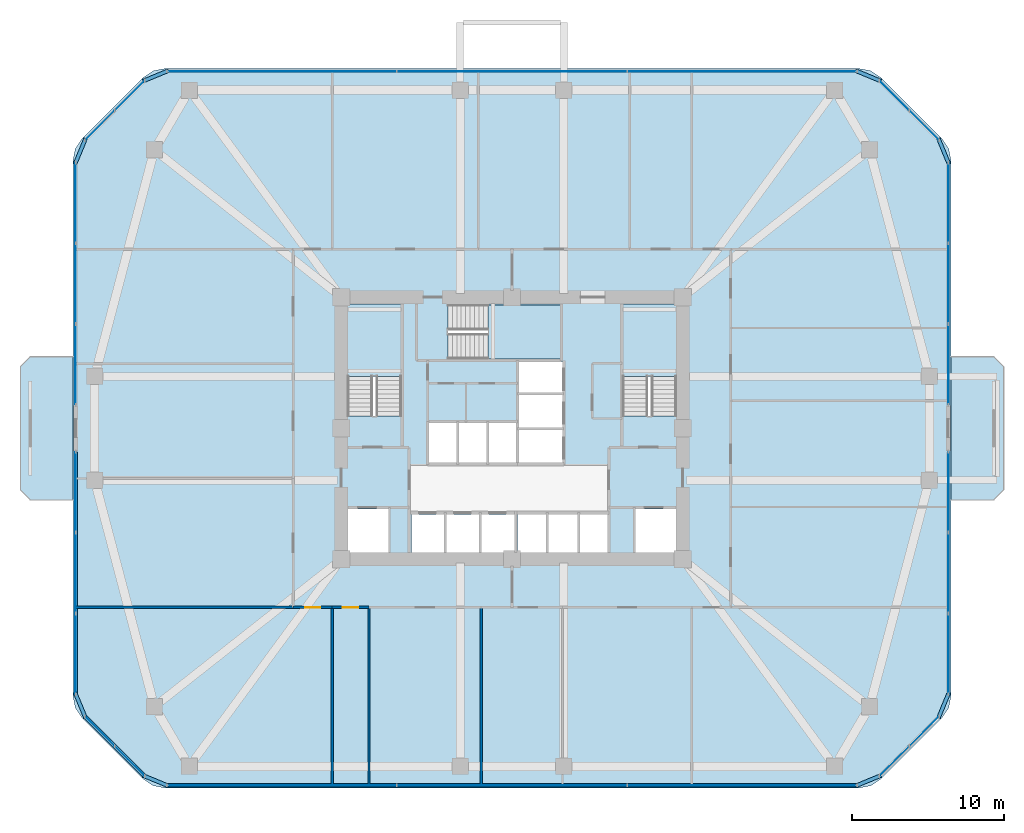
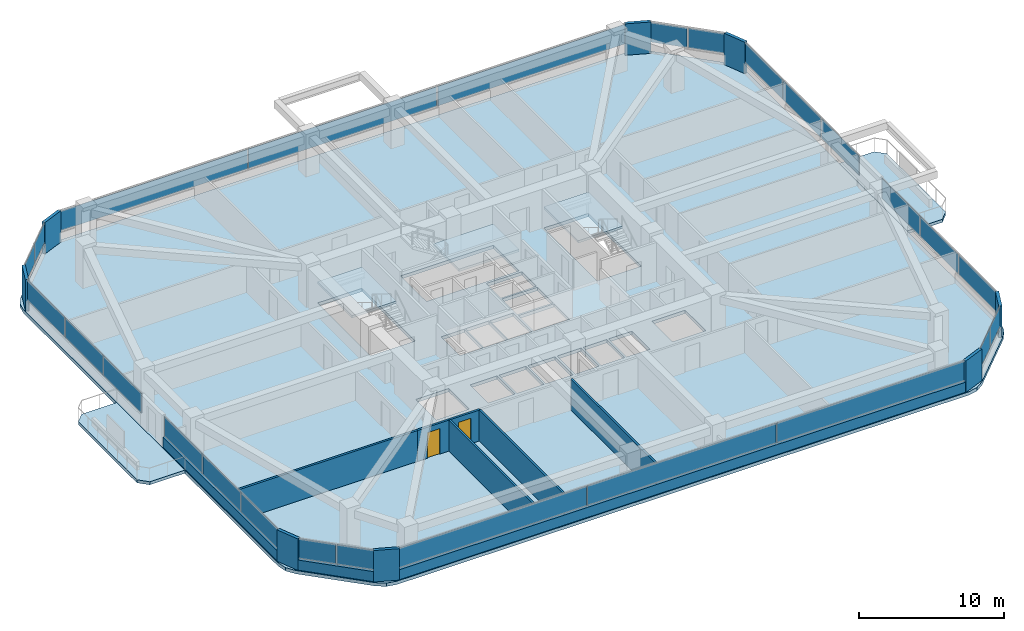
# One storey, part 9 of 15: 34 plates, 9 walls, 6 slabs, 2 doors, 2 openings, 13 elements without a shape of their own.
"""IFC4 building model written with IfcOpenShell, lengths in metres."""

from ifc_helpers import new_model, si_unit, derived_unit, direction, frame, frame_2d, origin, origin_2d, place, context, subcontext, project, spatial, polyline, rectangle, outline, extrude, material, layer, layer_set, type_object, element, fill, aggregate, save


model = new_model("IFC4")

# Units and contexts
model_context = context("Model", 3, precision=1e-05, world=origin(), true_north=direction((0.0, 1.0)))
body_context = subcontext(model_context, "Body", "Model", "MODEL_VIEW")
ifc_project = project(units=[si_unit("LENGTHUNIT", "METRE"), si_unit("AREAUNIT", "SQUARE_METRE"), si_unit("VOLUMEUNIT", "CUBIC_METRE"), si_unit("PLANEANGLEUNIT", "RADIAN"), si_unit("MASSUNIT", "GRAM", prefix="KILO"), derived_unit("THERMALTRANSMITTANCEUNIT", [(si_unit("POWERUNIT", "WATT"), 1), (si_unit("LENGTHUNIT", "METRE"), -2), (si_unit("THERMODYNAMICTEMPERATUREUNIT", "KELVIN"), -1)])], contexts=[model_context])

# Site, building, storey
site_placement = place(None, origin())
site = spatial("IfcSite", under=ifc_project, at=site_placement, CompositionType="ELEMENT")
building_placement = place(site_placement, origin())
building = spatial("IfcBuilding", under=site, at=building_placement, Name="Koralith Skygarden Medical Center", CompositionType="ELEMENT")
storey_placement = place(building_placement, frame((0.0, 0.0, 27.5400390625)))
storey = spatial("IfcBuildingStorey", under=building, at=storey_placement, Name="L06", CompositionType="ELEMENT", Elevation=27.5400390625)

# Curtain wall, plates
ifc_material_1 = material(Name="Clear Laminated Glass", Category="glass")
curtain_wall_type = type_object("IfcCurtainWallType", Name="CW-2 Zone 1 Hurricane Unitised Curtain Wall", PredefinedType="NOTDEFINED", material=ifc_material_1)
curtain_wall_1_placement = place(storey_placement, origin())
curtain_wall_1 = element("IfcCurtainWall", 1, at=curtain_wall_1_placement, inside=storey, type_object=curtain_wall_type, Name="Curtain Wall CW-L06-S", PredefinedType="NOTDEFINED")
ifc_layer_1 = layer(ifc_material_1, 0.031982421875)
ifc_layer_set_1 = layer_set([ifc_layer_1], Name="Clear Laminated Glass")
plate_type_1 = type_object("IfcPlateType", Name="CW-2 Hurricane Laminated IGU Panel 32", PredefinedType="CURTAIN_PANEL", material=ifc_layer_set_1)
plate_1_placement = place(storey_placement, frame((21.903076171875, 2.47998046875, 0.919921875), z_axis=(0.0, 0.0, 1.0), x_axis=(1.0, 0.0, 0.0)))
plate_1 = element("IfcPlate", 2, at=plate_1_placement, type_object=plate_type_1, Name="CW-L06-S Glazed Panel 1", PredefinedType="CURTAIN_PANEL", context=body_context, shape_type="SweptSolid", body=[
    extrude(rectangle(XDim=15.007080078125, YDim=0.031982421875, at=origin_2d()), origin(), (0.0, 0.0, 1.0), 1.659912109375),
])
plate_2_placement = place(storey_placement, frame((37.0, 2.47998046875, 0.919921875), z_axis=(0.0, 0.0, 1.0), x_axis=(1.0, 0.0, 0.0)))
plate_2 = element("IfcPlate", 3, at=plate_2_placement, type_object=plate_type_1, Name="CW-L06-S Glazed Panel 2", PredefinedType="CURTAIN_PANEL", context=body_context, shape_type="SweptSolid", body=[
    extrude(rectangle(XDim=15.007080078125, YDim=0.031982421875, at=origin_2d()), origin(), (0.0, 0.0, 1.0), 1.659912109375),
])
plate_3_placement = place(storey_placement, frame((52.096923828125, 2.47998046875, 0.919921875), z_axis=(0.0, 0.0, 1.0), x_axis=(1.0, 0.0, 0.0)))
plate_3 = element("IfcPlate", 4, at=plate_3_placement, type_object=plate_type_1, Name="CW-L06-S Glazed Panel 3", PredefinedType="CURTAIN_PANEL", context=body_context, shape_type="SweptSolid", body=[
    extrude(rectangle(XDim=15.007080078125, YDim=0.031982421875, at=origin_2d()), origin(), (0.0, 0.0, 1.0), 1.659912109375),
])
aggregate(curtain_wall_1, [plate_1, plate_2, plate_3])

curtain_wall_2_placement = place(storey_placement, origin())
curtain_wall_2 = element("IfcCurtainWall", 5, at=curtain_wall_2_placement, inside=storey, type_object=curtain_wall_type, Name="Curtain Wall CW-L06-SE", PredefinedType="NOTDEFINED")
plate_4_placement = place(storey_placement, frame((62.076904296875, 4.06201171875, 0.919921875), z_axis=(0.0, 0.0, 1.0), x_axis=(0.707106781187, 0.707106781187, 0.0)))
plate_4 = element("IfcPlate", 6, at=plate_4_placement, type_object=plate_type_1, Name="CW-L06-SE Glazed Panel 1", PredefinedType="CURTAIN_PANEL", context=body_context, shape_type="SweptSolid", body=[
    extrude(rectangle(XDim=2.68408203125, YDim=0.031982421875, at=origin_2d()), origin(), (0.0, 0.0, 1.0), 1.659912109375),
])
plate_5_placement = place(storey_placement, frame((64.0380859375, 6.02294921875, 0.919921875), z_axis=(0.0, 0.0, 1.0), x_axis=(0.707106781187, 0.707106781187, 0.0)))
plate_5 = element("IfcPlate", 7, at=plate_5_placement, type_object=plate_type_1, Name="CW-L06-SE Glazed Panel 2", PredefinedType="CURTAIN_PANEL", context=body_context, shape_type="SweptSolid", body=[
    extrude(rectangle(XDim=2.68408203125, YDim=0.031982421875, at=origin_2d()), origin(), (0.0, 0.0, 1.0), 1.659912109375),
])
aggregate(curtain_wall_2, [plate_4, plate_5])

curtain_wall_3_placement = place(storey_placement, origin())
curtain_wall_3 = element("IfcCurtainWall", 8, at=curtain_wall_3_placement, inside=storey, type_object=curtain_wall_type, Name="Curtain Wall CW-L06-E-L", PredefinedType="NOTDEFINED")
plate_6_placement = place(storey_placement, frame((65.6201171875, 11.10595703125, 0.919921875), z_axis=(0.0, 0.0, 1.0), x_axis=(0.0, 1.0, 0.0)))
plate_6 = element("IfcPlate", 9, at=plate_6_placement, type_object=plate_type_1, Name="CW-L06-E-L Glazed Panel 1", PredefinedType="CURTAIN_PANEL", context=body_context, shape_type="SweptSolid", body=[
    extrude(rectangle(XDim=5.2119140625, YDim=0.031982421875, at=origin_2d()), origin(), (0.0, 0.0, 1.0), 1.659912109375),
])
plate_7_placement = place(storey_placement, frame((65.6201171875, 16.406982421875, 0.919921875), z_axis=(0.0, 0.0, 1.0), x_axis=(0.0, 1.0, 0.0)))
plate_7 = element("IfcPlate", 10, at=plate_7_placement, type_object=plate_type_1, Name="CW-L06-E-L Glazed Panel 2", PredefinedType="CURTAIN_PANEL", context=body_context, shape_type="SweptSolid", body=[
    extrude(rectangle(XDim=5.2119140625, YDim=0.031982421875, at=origin_2d()), origin(), (0.0, 0.0, 1.0), 1.659912109375),
])
plate_8_placement = place(storey_placement, frame((65.6201171875, 21.708984375, 0.919921875), z_axis=(0.0, 0.0, 1.0), x_axis=(0.0, 1.0, 0.0)))
plate_8 = element("IfcPlate", 11, at=plate_8_placement, type_object=plate_type_1, Name="CW-L06-E-L Glazed Panel 3", PredefinedType="CURTAIN_PANEL", context=body_context, shape_type="SweptSolid", body=[
    extrude(rectangle(XDim=5.2119140625, YDim=0.031982421875, at=origin_2d()), origin(), (0.0, 0.0, 1.0), 1.659912109375),
])
aggregate(curtain_wall_3, [plate_6, plate_7, plate_8])

curtain_wall_4_placement = place(storey_placement, origin())
curtain_wall_4 = element("IfcCurtainWall", 12, at=curtain_wall_4_placement, inside=storey, type_object=curtain_wall_type, Name="Curtain Wall CW-L06-E-R", PredefinedType="NOTDEFINED")
plate_9_placement = place(storey_placement, frame((65.6201171875, 30.091064453125, 0.919921875), z_axis=(0.0, 0.0, 1.0), x_axis=(0.0, 1.0, 0.0)))
plate_9 = element("IfcPlate", 13, at=plate_9_placement, type_object=plate_type_1, Name="CW-L06-E-R Glazed Panel 1", PredefinedType="CURTAIN_PANEL", context=body_context, shape_type="SweptSolid", body=[
    extrude(rectangle(XDim=5.2119140625, YDim=0.031982421875, at=origin_2d()), origin(), (0.0, 0.0, 1.0), 1.659912109375),
])
plate_10_placement = place(storey_placement, frame((65.6201171875, 35.39208984375, 0.919921875), z_axis=(0.0, 0.0, 1.0), x_axis=(0.0, 1.0, 0.0)))
plate_10 = element("IfcPlate", 14, at=plate_10_placement, type_object=plate_type_1, Name="CW-L06-E-R Glazed Panel 2", PredefinedType="CURTAIN_PANEL", context=body_context, shape_type="SweptSolid", body=[
    extrude(rectangle(XDim=5.2119140625, YDim=0.031982421875, at=origin_2d()), origin(), (0.0, 0.0, 1.0), 1.659912109375),
])
plate_11_placement = place(storey_placement, frame((65.6201171875, 40.694091796875, 0.919921875), z_axis=(0.0, 0.0, 1.0), x_axis=(0.0, 1.0, 0.0)))
plate_11 = element("IfcPlate", 15, at=plate_11_placement, type_object=plate_type_1, Name="CW-L06-E-R Glazed Panel 3", PredefinedType="CURTAIN_PANEL", context=body_context, shape_type="SweptSolid", body=[
    extrude(rectangle(XDim=5.2119140625, YDim=0.031982421875, at=origin_2d()), origin(), (0.0, 0.0, 1.0), 1.659912109375),
])
aggregate(curtain_wall_4, [plate_9, plate_10, plate_11])

curtain_wall_5_placement = place(storey_placement, origin())
curtain_wall_5 = element("IfcCurtainWall", 16, at=curtain_wall_5_placement, inside=storey, type_object=curtain_wall_type, Name="Curtain Wall CW-L06-NE", PredefinedType="NOTDEFINED")
plate_12_placement = place(storey_placement, frame((64.0380859375, 45.777099609375, 0.919921875), z_axis=(0.0, 0.0, 1.0), x_axis=(-0.707106781187, 0.707106781187, 0.0)))
plate_12 = element("IfcPlate", 17, at=plate_12_placement, type_object=plate_type_1, Name="CW-L06-NE Glazed Panel 1", PredefinedType="CURTAIN_PANEL", context=body_context, shape_type="SweptSolid", body=[
    extrude(rectangle(XDim=2.68408203125, YDim=0.031982421875, at=origin_2d()), origin(), (0.0, 0.0, 1.0), 1.659912109375),
])
plate_13_placement = place(storey_placement, frame((62.076904296875, 47.738037109375, 0.919921875), z_axis=(0.0, 0.0, 1.0), x_axis=(-0.707106781187, 0.707106781187, 0.0)))
plate_13 = element("IfcPlate", 18, at=plate_13_placement, type_object=plate_type_1, Name="CW-L06-NE Glazed Panel 2", PredefinedType="CURTAIN_PANEL", context=body_context, shape_type="SweptSolid", body=[
    extrude(rectangle(XDim=2.68408203125, YDim=0.031982421875, at=origin_2d()), origin(), (0.0, 0.0, 1.0), 1.659912109375),
])
aggregate(curtain_wall_5, [plate_12, plate_13])

curtain_wall_6_placement = place(storey_placement, origin())
curtain_wall_6 = element("IfcCurtainWall", 19, at=curtain_wall_6_placement, inside=storey, type_object=curtain_wall_type, Name="Curtain Wall CW-L06-N", PredefinedType="NOTDEFINED")
plate_14_placement = place(storey_placement, frame((52.096923828125, 49.320068359375, 0.919921875), z_axis=(0.0, 0.0, 1.0), x_axis=(-1.0, 0.0, 0.0)))
plate_14 = element("IfcPlate", 20, at=plate_14_placement, type_object=plate_type_1, Name="CW-L06-N Glazed Panel 1", PredefinedType="CURTAIN_PANEL", context=body_context, shape_type="SweptSolid", body=[
    extrude(rectangle(XDim=15.007080078125, YDim=0.031982421875, at=origin_2d()), origin(), (0.0, 0.0, 1.0), 1.659912109375),
])
plate_15_placement = place(storey_placement, frame((37.0, 49.320068359375, 0.919921875), z_axis=(0.0, 0.0, 1.0), x_axis=(-1.0, 0.0, 0.0)))
plate_15 = element("IfcPlate", 21, at=plate_15_placement, type_object=plate_type_1, Name="CW-L06-N Glazed Panel 2", PredefinedType="CURTAIN_PANEL", context=body_context, shape_type="SweptSolid", body=[
    extrude(rectangle(XDim=15.007080078125, YDim=0.031982421875, at=origin_2d()), origin(), (0.0, 0.0, 1.0), 1.659912109375),
])
plate_16_placement = place(storey_placement, frame((21.903076171875, 49.320068359375, 0.919921875), z_axis=(0.0, 0.0, 1.0), x_axis=(-1.0, 0.0, 0.0)))
plate_16 = element("IfcPlate", 22, at=plate_16_placement, type_object=plate_type_1, Name="CW-L06-N Glazed Panel 3", PredefinedType="CURTAIN_PANEL", context=body_context, shape_type="SweptSolid", body=[
    extrude(rectangle(XDim=15.007080078125, YDim=0.031982421875, at=origin_2d()), origin(), (0.0, 0.0, 1.0), 1.659912109375),
])
aggregate(curtain_wall_6, [plate_14, plate_15, plate_16])

curtain_wall_7_placement = place(storey_placement, origin())
curtain_wall_7 = element("IfcCurtainWall", 23, at=curtain_wall_7_placement, inside=storey, type_object=curtain_wall_type, Name="Curtain Wall CW-L06-NW", PredefinedType="NOTDEFINED")
plate_17_placement = place(storey_placement, frame((11.923095703125, 47.738037109375, 0.919921875), z_axis=(0.0, 0.0, 1.0), x_axis=(-0.707106781187, -0.707106781187, 0.0)))
plate_17 = element("IfcPlate", 24, at=plate_17_placement, type_object=plate_type_1, Name="CW-L06-NW Glazed Panel 1", PredefinedType="CURTAIN_PANEL", context=body_context, shape_type="SweptSolid", body=[
    extrude(rectangle(XDim=2.68408203125, YDim=0.031982421875, at=origin_2d()), origin(), (0.0, 0.0, 1.0), 1.659912109375),
])
plate_18_placement = place(storey_placement, frame((9.9619140625, 45.777099609375, 0.919921875), z_axis=(0.0, 0.0, 1.0), x_axis=(-0.707106781187, -0.707106781187, 0.0)))
plate_18 = element("IfcPlate", 25, at=plate_18_placement, type_object=plate_type_1, Name="CW-L06-NW Glazed Panel 2", PredefinedType="CURTAIN_PANEL", context=body_context, shape_type="SweptSolid", body=[
    extrude(rectangle(XDim=2.68408203125, YDim=0.031982421875, at=origin_2d()), origin(), (0.0, 0.0, 1.0), 1.659912109375),
])
aggregate(curtain_wall_7, [plate_17, plate_18])

curtain_wall_8_placement = place(storey_placement, origin())
curtain_wall_8 = element("IfcCurtainWall", 26, at=curtain_wall_8_placement, inside=storey, type_object=curtain_wall_type, Name="Curtain Wall CW-L06-W-L", PredefinedType="NOTDEFINED")
plate_19_placement = place(storey_placement, frame((8.3798828125, 40.694091796875, 0.919921875), z_axis=(0.0, 0.0, 1.0), x_axis=(0.0, -1.0, 0.0)))
plate_19 = element("IfcPlate", 27, at=plate_19_placement, type_object=plate_type_1, Name="CW-L06-W-L Glazed Panel 1", PredefinedType="CURTAIN_PANEL", context=body_context, shape_type="SweptSolid", body=[
    extrude(rectangle(XDim=5.2119140625, YDim=0.031982421875, at=origin_2d()), origin(), (0.0, 0.0, 1.0), 1.659912109375),
])
plate_20_placement = place(storey_placement, frame((8.3798828125, 35.39208984375, 0.919921875), z_axis=(0.0, 0.0, 1.0), x_axis=(0.0, -1.0, 0.0)))
plate_20 = element("IfcPlate", 28, at=plate_20_placement, type_object=plate_type_1, Name="CW-L06-W-L Glazed Panel 2", PredefinedType="CURTAIN_PANEL", context=body_context, shape_type="SweptSolid", body=[
    extrude(rectangle(XDim=5.2119140625, YDim=0.031982421875, at=origin_2d()), origin(), (0.0, 0.0, 1.0), 1.659912109375),
])
plate_21_placement = place(storey_placement, frame((8.3798828125, 30.091064453125, 0.919921875), z_axis=(0.0, 0.0, 1.0), x_axis=(0.0, -1.0, 0.0)))
plate_21 = element("IfcPlate", 29, at=plate_21_placement, type_object=plate_type_1, Name="CW-L06-W-L Glazed Panel 3", PredefinedType="CURTAIN_PANEL", context=body_context, shape_type="SweptSolid", body=[
    extrude(rectangle(XDim=5.2119140625, YDim=0.031982421875, at=origin_2d()), origin(), (0.0, 0.0, 1.0), 1.659912109375),
])
aggregate(curtain_wall_8, [plate_19, plate_20, plate_21])

curtain_wall_9_placement = place(storey_placement, origin())
curtain_wall_9 = element("IfcCurtainWall", 30, at=curtain_wall_9_placement, inside=storey, type_object=curtain_wall_type, Name="Curtain Wall CW-L06-W-R", PredefinedType="NOTDEFINED")
plate_22_placement = place(storey_placement, frame((8.3798828125, 21.708984375, 0.919921875), z_axis=(0.0, 0.0, 1.0), x_axis=(0.0, -1.0, 0.0)))
plate_22 = element("IfcPlate", 31, at=plate_22_placement, type_object=plate_type_1, Name="CW-L06-W-R Glazed Panel 1", PredefinedType="CURTAIN_PANEL", context=body_context, shape_type="SweptSolid", body=[
    extrude(rectangle(XDim=5.2119140625, YDim=0.031982421875, at=origin_2d()), origin(), (0.0, 0.0, 1.0), 1.659912109375),
])
plate_23_placement = place(storey_placement, frame((8.3798828125, 16.406982421875, 0.919921875), z_axis=(0.0, 0.0, 1.0), x_axis=(0.0, -1.0, 0.0)))
plate_23 = element("IfcPlate", 32, at=plate_23_placement, type_object=plate_type_1, Name="CW-L06-W-R Glazed Panel 2", PredefinedType="CURTAIN_PANEL", context=body_context, shape_type="SweptSolid", body=[
    extrude(rectangle(XDim=5.2119140625, YDim=0.031982421875, at=origin_2d()), origin(), (0.0, 0.0, 1.0), 1.659912109375),
])
plate_24_placement = place(storey_placement, frame((8.3798828125, 11.10595703125, 0.919921875), z_axis=(0.0, 0.0, 1.0), x_axis=(0.0, -1.0, 0.0)))
plate_24 = element("IfcPlate", 33, at=plate_24_placement, type_object=plate_type_1, Name="CW-L06-W-R Glazed Panel 3", PredefinedType="CURTAIN_PANEL", context=body_context, shape_type="SweptSolid", body=[
    extrude(rectangle(XDim=5.2119140625, YDim=0.031982421875, at=origin_2d()), origin(), (0.0, 0.0, 1.0), 1.659912109375),
])
aggregate(curtain_wall_9, [plate_22, plate_23, plate_24])

curtain_wall_10_placement = place(storey_placement, origin())
curtain_wall_10 = element("IfcCurtainWall", 34, at=curtain_wall_10_placement, inside=storey, type_object=curtain_wall_type, Name="Curtain Wall CW-L06-SW", PredefinedType="NOTDEFINED")
plate_25_placement = place(storey_placement, frame((9.9619140625, 6.02294921875, 0.919921875), z_axis=(0.0, 0.0, 1.0), x_axis=(0.707106781187, -0.707106781187, 0.0)))
plate_25 = element("IfcPlate", 35, at=plate_25_placement, type_object=plate_type_1, Name="CW-L06-SW Glazed Panel 1", PredefinedType="CURTAIN_PANEL", context=body_context, shape_type="SweptSolid", body=[
    extrude(rectangle(XDim=2.68408203125, YDim=0.031982421875, at=origin_2d()), origin(), (0.0, 0.0, 1.0), 1.659912109375),
])
plate_26_placement = place(storey_placement, frame((11.923095703125, 4.06201171875, 0.919921875), z_axis=(0.0, 0.0, 1.0), x_axis=(0.707106781187, -0.707106781187, 0.0)))
plate_26 = element("IfcPlate", 36, at=plate_26_placement, type_object=plate_type_1, Name="CW-L06-SW Glazed Panel 2", PredefinedType="CURTAIN_PANEL", context=body_context, shape_type="SweptSolid", body=[
    extrude(rectangle(XDim=2.68408203125, YDim=0.031982421875, at=origin_2d()), origin(), (0.0, 0.0, 1.0), 1.659912109375),
])
aggregate(curtain_wall_10, [plate_25, plate_26])

# Slabs
ifc_material_2 = material(Name="Concrete C45/55", Category="concrete")
ifc_layer_2 = layer(ifc_material_2, 0.260009765625)
ifc_layer_set_2 = layer_set([ifc_layer_2], Name="Concrete C45/55")
slab_type_1 = type_object("IfcSlabType", Name="Cantilevered Planted Balcony Slab 260", PredefinedType="FLOOR", material=ifc_layer_set_2)
slab_1_placement = place(storey_placement, frame((0.0, 0.0, -0.260009765625)))
element("IfcSlab", 37, at=slab_1_placement, inside=storey, type_object=slab_type_1, Name="L06 E Planted Sky-Garden Balcony Slab", PredefinedType="FLOOR", context=body_context, shape_type="SweptSolid", body=[
    extrude(outline(polyline([(65.800048828125, 21.199951171875), (68.60009765625, 21.199951171875), (69.25, 21.85009765625), (69.25, 29.949951171875), (68.60009765625, 30.60009765625), (65.800048828125, 30.60009765625), (65.800048828125, 21.199951171875)])), origin(), (0.0, 0.0, 1.0), 0.260009765625),
])
slab_2_placement = place(storey_placement, frame((0.0, 0.0, -0.260009765625)))
element("IfcSlab", 38, at=slab_2_placement, inside=storey, type_object=slab_type_1, Name="L06 W Planted Sky-Garden Balcony Slab", PredefinedType="FLOOR", context=body_context, shape_type="SweptSolid", body=[
    extrude(outline(polyline([(5.39990234375, 21.199951171875), (8.199951171875, 21.199951171875), (8.199951171875, 30.60009765625), (5.39990234375, 30.60009765625), (4.75, 29.949951171875), (4.75, 21.85009765625), (5.39990234375, 21.199951171875)])), origin(), (0.0, 0.0, 1.0), 0.260009765625),
])

# Stair, slab
stair_type = type_object("IfcStairType", Name="Core Exit Dogleg Concrete Stair", PredefinedType="HALF_TURN_STAIR", material=ifc_material_2)
stair_1_placement = place(storey_placement, origin())
stair_1 = element("IfcStair", 39, at=stair_1_placement, inside=storey, type_object=stair_type, Name="L06 Smokeproof Exit Stair ST1", PredefinedType="HALF_TURN_STAIR")
ifc_layer_3 = layer(ifc_material_2, 0.199951171875)
ifc_layer_set_3 = layer_set([ifc_layer_3], Name="Concrete C45/55")
slab_type_2 = type_object("IfcSlabType", Name="Core Exit Concrete Stair Landing 200", PredefinedType="LANDING", material=ifc_layer_set_3)
slab_3_placement = place(storey_placement, frame((0.0, 0.0, 1.599853515625)))
slab_3 = element("IfcSlab", 40, at=slab_3_placement, type_object=slab_type_2, Name="ST1 landing 1", PredefinedType="LANDING", context=body_context, shape_type="SweptSolid", body=[
    extrude(outline(polyline([(29.75, 29.31005859375), (29.75, 34.050048828125), (26.199951171875, 34.050048828125), (26.199951171875, 29.31005859375), (29.75, 29.31005859375)])), origin(), (0.0, 0.0, 1.0), 0.2001953125),
])
aggregate(stair_1, [slab_3])

stair_2_placement = place(storey_placement, origin())
stair_2 = element("IfcStair", 41, at=stair_2_placement, inside=storey, type_object=stair_type, Name="L06 Smokeproof Exit Stair ST2", PredefinedType="HALF_TURN_STAIR")
slab_4_placement = place(storey_placement, frame((0.0, 0.0, 1.599853515625)))
slab_4 = element("IfcSlab", 42, at=slab_4_placement, type_object=slab_type_2, Name="ST2 landing 1", PredefinedType="LANDING", context=body_context, shape_type="SweptSolid", body=[
    extrude(outline(polyline([(47.800048828125, 29.31005859375), (47.800048828125, 34.050048828125), (44.25, 34.050048828125), (44.25, 29.31005859375), (47.800048828125, 29.31005859375)])), origin(), (0.0, 0.0, 1.0), 0.2001953125),
])
aggregate(stair_2, [slab_4])

stair_3_placement = place(storey_placement, origin())
stair_3 = element("IfcStair", 43, at=stair_3_placement, inside=storey, type_object=stair_type, Name="L06 Smokeproof Exit Stair ST3", PredefinedType="HALF_TURN_STAIR")
slab_5_placement = place(storey_placement, frame((0.0, 0.0, 1.599853515625)))
slab_5 = element("IfcSlab", 44, at=slab_5_placement, type_object=slab_type_2, Name="ST3 landing 1", PredefinedType="LANDING", context=body_context, shape_type="SweptSolid", body=[
    extrude(outline(polyline([(35.409912109375, 30.449951171875), (40.199951171875, 30.449951171875), (40.199951171875, 34.0), (35.409912109375, 34.0), (35.409912109375, 30.449951171875)])), origin(), (0.0, 0.0, 1.0), 0.2001953125),
])
aggregate(stair_3, [slab_5])

# Slab
ifc_layer_4 = layer(ifc_material_2, 0.280029296875)
ifc_layer_set_4 = layer_set([ifc_layer_4], Name="Concrete C45/55")
slab_type_3 = type_object("IfcSlabType", Name="Post-Tensioned Ward Floor Plate 280", PredefinedType="FLOOR", material=ifc_layer_set_4)
slab_6_placement = place(storey_placement, frame((0.0, 0.0, -0.280029296875)))
element("IfcSlab", 45, at=slab_6_placement, inside=storey, type_object=slab_type_3, Name="Level L06 Structural Floor Slab", PredefinedType="FLOOR", context=body_context, shape_type="SweptSolid", body=[
    extrude(outline(polyline([(12.81396484375, 2.885986328125), (13.462890625, 2.451904296875), (14.22802734375, 2.300048828125), (59.77197265625, 2.300048828125), (60.537109375, 2.451904296875), (61.18603515625, 2.885986328125), (65.214111328125, 6.9140625), (65.64794921875, 7.56298828125), (65.800048828125, 8.327880859375), (65.800048828125, 43.471923828125), (65.64794921875, 44.237060546875), (65.214111328125, 44.885986328125), (61.18603515625, 48.9140625), (60.537109375, 49.347900390625), (59.77197265625, 49.5), (14.22802734375, 49.5), (13.462890625, 49.347900390625), (12.81396484375, 48.9140625), (8.785888671875, 44.885986328125), (8.35205078125, 44.237060546875), (8.199951171875, 43.471923828125), (8.199951171875, 8.327880859375), (8.35205078125, 7.56298828125), (8.785888671875, 6.9140625), (12.81396484375, 2.885986328125)]), holes=[polyline([(26.199951171875, 26.705078125), (29.75, 26.705078125), (29.75, 34.050048828125), (26.199951171875, 34.050048828125), (26.199951171875, 26.705078125)]), polyline([(44.25, 26.705078125), (47.800048828125, 26.705078125), (47.800048828125, 34.050048828125), (44.25, 34.050048828125), (44.25, 26.705078125)]), polyline([(32.804931640625, 30.449951171875), (40.199951171875, 30.449951171875), (40.199951171875, 34.0), (32.804931640625, 34.0), (32.804931640625, 30.449951171875)]), polyline([(26.25, 17.75), (28.89990234375, 17.75), (28.89990234375, 20.60009765625), (26.25, 20.60009765625), (26.25, 17.75)]), polyline([(45.10009765625, 17.75), (47.75, 17.75), (47.75, 20.60009765625), (45.10009765625, 20.60009765625), (45.10009765625, 17.75)]), polyline([(30.39990234375, 17.75), (32.550048828125, 17.75), (32.550048828125, 20.25), (30.39990234375, 20.25), (30.39990234375, 17.75)]), polyline([(32.699951171875, 17.75), (34.85009765625, 17.75), (34.85009765625, 20.25), (32.699951171875, 20.25), (32.699951171875, 17.75)]), polyline([(35.0, 17.75), (37.14990234375, 17.75), (37.14990234375, 20.25), (35.0, 20.25), (35.0, 17.75)]), polyline([(37.35009765625, 17.75), (39.25, 17.75), (39.25, 20.25), (37.35009765625, 20.25), (37.35009765625, 17.75)]), polyline([(39.39990234375, 17.75), (41.300048828125, 17.75), (41.300048828125, 20.25), (39.39990234375, 20.25), (39.39990234375, 17.75)]), polyline([(41.449951171875, 17.75), (43.300048828125, 17.75), (43.300048828125, 20.25), (41.449951171875, 20.25), (41.449951171875, 17.75)]), polyline([(31.550048828125, 23.64990234375), (33.39990234375, 23.64990234375), (33.39990234375, 26.25), (31.550048828125, 26.25), (31.550048828125, 23.64990234375)]), polyline([(33.5, 23.64990234375), (35.35009765625, 23.64990234375), (35.35009765625, 26.25), (33.5, 26.25), (33.5, 23.64990234375)]), polyline([(35.449951171875, 23.64990234375), (37.300048828125, 23.64990234375), (37.300048828125, 26.25), (35.449951171875, 26.25), (35.449951171875, 23.64990234375)]), polyline([(37.449951171875, 23.64990234375), (40.300048828125, 23.64990234375), (40.300048828125, 25.800048828125), (37.449951171875, 25.800048828125), (37.449951171875, 23.64990234375)]), polyline([(37.449951171875, 25.949951171875), (40.300048828125, 25.949951171875), (40.300048828125, 28.10009765625), (37.449951171875, 28.10009765625), (37.449951171875, 25.949951171875)]), polyline([(37.449951171875, 28.25), (40.300048828125, 28.25), (40.300048828125, 30.25), (37.449951171875, 30.25), (37.449951171875, 28.25)])]), origin(), (0.0, 0.0, 1.0), 0.280029296875),
])

# Plates
ifc_material_3 = material(Name="Warm Oolitic Limestone Cladding", Category="masonry")
ifc_layer_5 = layer(ifc_material_3, 0.239990234375)
ifc_layer_set_5 = layer_set([ifc_layer_5], Name="Warm Oolitic Limestone Cladding")
plate_type_2 = type_object("IfcPlateType", Name="Rounded-Corner Oolitic Limestone Cladding Panel 240", PredefinedType="USERDEFINED", material=ifc_layer_set_5)
for number, where, z_axis, x_axis, name in (
    (46, (60.3701171875, 2.780029296875, 0.0), (0.0, 0.0, 1.0), (0.92388487569, 0.382670532536, 0.0), "L06 Rounded-Corner Limestone Pier 1"),
    (47, (65.320068359375, 7.72900390625, 0.0), (0.0, 0.0, 1.0), (0.382670532536, 0.92388487569, 0.0), "L06 Rounded-Corner Limestone Pier 2"),
    (48, (65.320068359375, 44.070068359375, 0.0), (0.0, 0.0, 1.0), (-0.382670532536, 0.92388487569, 0.0), "L06 Rounded-Corner Limestone Pier 3"),
    (49, (60.3701171875, 49.02001953125, 0.0), (0.0, 0.0, 1.0), (-0.92388487569, 0.382670532536, 0.0), "L06 Rounded-Corner Limestone Pier 4"),
    (50, (13.6298828125, 49.02001953125, 0.0), (0.0, 0.0, 1.0), (-0.92388487569, -0.382670532536, 0.0), "L06 Rounded-Corner Limestone Pier 5"),
    (51, (8.680908203125, 44.070068359375, 0.0), (0.0, 0.0, 1.0), (-0.382670532536, -0.92388487569, 0.0), "L06 Rounded-Corner Limestone Pier 6"),
    (52, (8.680908203125, 7.72900390625, 0.0), (0.0, 0.0, 1.0), (0.382670532536, -0.92388487569, 0.0), "L06 Rounded-Corner Limestone Pier 7"),
    (53, (13.6298828125, 2.780029296875, 0.0), (0.0, 0.0, 1.0), (0.92388487569, -0.382670532536, 0.0), "L06 Rounded-Corner Limestone Pier 8"),
):
    element("IfcPlate", number, at=place(storey_placement, frame(where, z_axis=z_axis, x_axis=x_axis)), inside=storey, type_object=plate_type_2, Name=name, ObjectType="LIMESTONE CLADDING", PredefinedType="USERDEFINED", context=body_context, shape_type="SweptSolid", body=[
        extrude(rectangle(XDim=1.81103515625, YDim=0.239990234375, at=origin_2d()), origin(), (0.0, 0.0, 1.0), 2.64990234375),
    ])

# Walls
ifc_material_4 = material(Name="Gypsum Board Partition")
ifc_layer_6 = layer(ifc_material_4, 0.14990234375)
ifc_layer_set_6 = layer_set([ifc_layer_6], Name="Gypsum Board Partition")
wall_type_1 = type_object("IfcWallType", Name="Clinical Acoustic Partition 150", PredefinedType="PARTITIONING", material=ifc_layer_set_6)
for number, where, z_axis, x_axis, name in (
    (54, (25.199951171875, 14.14990234375, 0.0), (0.0, 0.0, 1.0), (0.0, -1.0, 0.0), "L06 Clinical Acoustic Partition 150 W-PART-L06-S-01"),
    (55, (27.623046875, 14.14990234375, 0.0), (0.0, 0.0, 1.0), (0.0, -1.0, 0.0), "L06 Clinical Acoustic Partition 150 W-PART-L06-S-02"),
    (56, (34.98095703125, 14.14990234375, 0.0), (0.0, 0.0, 1.0), (0.0, -1.0, 0.0), "L06 Clinical Acoustic Partition 150 W-PART-L06-S-03"),
):
    element("IfcWall", number, at=place(storey_placement, frame(where, z_axis=z_axis, x_axis=x_axis)), inside=storey, type_object=wall_type_1, Name=name, PredefinedType="PARTITIONING", context=body_context, shape_type="SweptSolid", body=[
        extrude(rectangle(XDim=11.64990234375, YDim=0.14990234375, at=frame_2d((5.824951171875, 0.0))), origin(), (0.0, 0.0, 1.0), 2.60986328125),
    ])
ifc_layer_7 = layer(ifc_material_4, 0.1650390625)
ifc_layer_set_7 = layer_set([ifc_layer_7], Name="Gypsum Board Partition")
wall_type_2 = type_object("IfcWallType", Name="Clinical Corridor Partition 165", PredefinedType="PARTITIONING", material=ifc_layer_set_7)
wall_1_placement = place(storey_placement, frame((8.39990234375, 14.14990234375, 0.0), z_axis=(0.0, 0.0, 1.0), x_axis=(1.0, 0.0, 0.0)))
element("IfcWall", 57, at=wall_1_placement, inside=storey, type_object=wall_type_2, Name="L06 Clinical Corridor Partition 165 W-WB-L06-SW", PredefinedType="PARTITIONING", context=body_context, shape_type="SweptSolid", body=[
    extrude(rectangle(XDim=14.25, YDim=0.1650390625, at=frame_2d((7.125, 0.0))), origin(), (0.0, 0.0, 1.0), 2.60986328125),
])

# Wall, opening, door
wall_2_placement = place(storey_placement, frame((22.64990234375, 14.14990234375, 0.0), z_axis=(0.0, 0.0, 1.0), x_axis=(1.0, 0.0, 0.0)))
wall_2 = element("IfcWall", 58, at=wall_2_placement, inside=storey, type_object=wall_type_2, Name="L06 Clinical Corridor Partition 165 W-CORR-L06-S-01", PredefinedType="PARTITIONING", context=body_context, shape_type="SweptSolid", body=[
    extrude(rectangle(XDim=2.550048828125, YDim=0.1650390625, at=frame_2d((1.27490234375, 0.0))), origin(), (0.0, 0.0, 1.0), 2.60986328125),
])
opening_1_placement = place(wall_2_placement, frame((0.77490234375, 0.0, 0.0)))
opening_1 = element("IfcOpeningElement", 59, at=opening_1_placement, cuts=wall_2, Name="Opening D-SUP", PredefinedType="OPENING", context=body_context, shape_type="SweptSolid", body=[
    extrude(rectangle(XDim=1.0, YDim=2.14990234375, at=frame_2d((0.5, 1.074951171875))), frame((0.0, 0.092529296875, 0.0), z_axis=(0.0, -1.0, 0.0), x_axis=(1.0, 0.0, 0.0)), (0.0, 0.0, 1.0), 0.18505859375),
])
ifc_material_5 = material(Name="Aluminium 6063-T6", Category="aluminium")
door_type = type_object("IfcDoorType", Name="Clinical Support Door D-SUP 1000", OperationType="NOTDEFINED", PredefinedType="DOOR", material=ifc_material_5)
door_1_placement = place(opening_1_placement, frame((1.0, 0.0, 0.0), z_axis=(0.0, 0.0, 1.0), x_axis=(-1.0, 0.0, 0.0)))
door_1 = element("IfcDoor", 60, at=door_1_placement, inside=storey, type_object=door_type, Name="L06 Multidisciplinary Clinical Conference Room 06 Door", OperationType="SINGLE_SWING_LEFT", OverallHeight=2.14990234375, OverallWidth=1.0, PredefinedType="DOOR", context=body_context, shape_type="SweptSolid", body=[
    extrude(rectangle(XDim=1.0, YDim=2.14990234375, at=frame_2d((0.5, 1.074951171875))), frame((0.0, 0.02490234375, 0.0), z_axis=(0.0, -1.0, 0.0), x_axis=(1.0, 0.0, 0.0)), (0.0, 0.0, 1.0), 0.050048828125),
])
fill(opening_1, door_1)

wall_3_placement = place(storey_placement, frame((25.199951171875, 14.14990234375, 0.0), z_axis=(0.0, 0.0, 1.0), x_axis=(1.0, 0.0, 0.0)))
wall_3 = element("IfcWall", 61, at=wall_3_placement, inside=storey, type_object=wall_type_2, Name="L06 Clinical Corridor Partition 165 W-CORR-L06-S-02", PredefinedType="PARTITIONING", context=body_context, shape_type="SweptSolid", body=[
    extrude(rectangle(XDim=2.423095703125, YDim=0.1650390625, at=frame_2d((1.21142578125, 0.0))), origin(), (0.0, 0.0, 1.0), 2.60986328125),
])
opening_2_placement = place(wall_3_placement, frame((0.7119140625, 0.0, 0.0)))
opening_2 = element("IfcOpeningElement", 62, at=opening_2_placement, cuts=wall_3, Name="Opening D-SUP", PredefinedType="OPENING", context=body_context, shape_type="SweptSolid", body=[
    extrude(rectangle(XDim=1.0, YDim=2.14990234375, at=frame_2d((0.5, 1.074951171875))), frame((0.0, 0.092529296875, 0.0), z_axis=(0.0, -1.0, 0.0), x_axis=(1.0, 0.0, 0.0)), (0.0, 0.0, 1.0), 0.18505859375),
])
door_2_placement = place(opening_2_placement, frame((1.0, 0.0, 0.0), z_axis=(0.0, 0.0, 1.0), x_axis=(-1.0, 0.0, 0.0)))
door_2 = element("IfcDoor", 63, at=door_2_placement, inside=storey, type_object=door_type, Name="L06 Attending Physician Consultation Office 07 Door", OperationType="SINGLE_SWING_RIGHT", OverallHeight=2.14990234375, OverallWidth=1.0, PredefinedType="DOOR", context=body_context, shape_type="SweptSolid", body=[
    extrude(rectangle(XDim=1.0, YDim=2.14990234375, at=frame_2d((0.5, 1.074951171875))), frame((0.0, 0.02490234375, 0.0), z_axis=(0.0, -1.0, 0.0), x_axis=(1.0, 0.0, 0.0)), (0.0, 0.0, 1.0), 0.050048828125),
])
fill(opening_2, door_2)

# Walls
ifc_layer_8 = layer(ifc_material_3, 0.239990234375)
ifc_layer_set_8 = layer_set([ifc_layer_8], Name="Warm Oolitic Limestone Cladding")
wall_type_3 = type_object("IfcWallType", Name="Limestone Spandrel Sill Backup Wall 240", PredefinedType="SOLIDWALL", material=ifc_layer_set_8)
wall_4_placement = place(storey_placement, frame((14.35498046875, 2.47998046875, 0.0), z_axis=(0.0, 0.0, 1.0), x_axis=(1.0, 0.0, 0.0)))
element("IfcWall", 64, at=wall_4_placement, inside=storey, type_object=wall_type_3, Name="L06 Sill Spandrel S", PredefinedType="SOLIDWALL", context=body_context, shape_type="SweptSolid", body=[
    extrude(rectangle(XDim=45.2900390625, YDim=0.239990234375, at=frame_2d((22.64501953125, 0.0))), origin(), (0.0, 0.0, 1.0), 0.849853515625),
])
wall_5_placement = place(storey_placement, frame((8.3798828125, 24.360107421875, 0.0), z_axis=(0.0, 0.0, 1.0), x_axis=(0.0, -1.0, 0.0)))
element("IfcWall", 65, at=wall_5_placement, inside=storey, type_object=wall_type_3, Name="L06 Sill Spandrel W-R", PredefinedType="SOLIDWALL", context=body_context, shape_type="SweptSolid", body=[
    extrude(rectangle(XDim=15.905029296875, YDim=0.239990234375, at=frame_2d((7.95263671875, 0.0))), origin(), (0.0, 0.0, 1.0), 0.849853515625),
])
wall_6_placement = place(storey_placement, frame((8.98095703125, 7.00390625, 0.0), z_axis=(0.0, 0.0, 1.0), x_axis=(0.707128783731, -0.707084777957, 0.0)))
element("IfcWall", 66, at=wall_6_placement, inside=storey, type_object=wall_type_3, Name="L06 Sill Spandrel SW", PredefinedType="SOLIDWALL", context=body_context, shape_type="SweptSolid", body=[
    extrude(rectangle(XDim=5.5478515625, YDim=0.239990234375, at=frame_2d((2.77392578125, 0.0))), origin(), (0.0, 0.0, 1.0), 0.849853515625),
])

save(model, "model.ifc")
